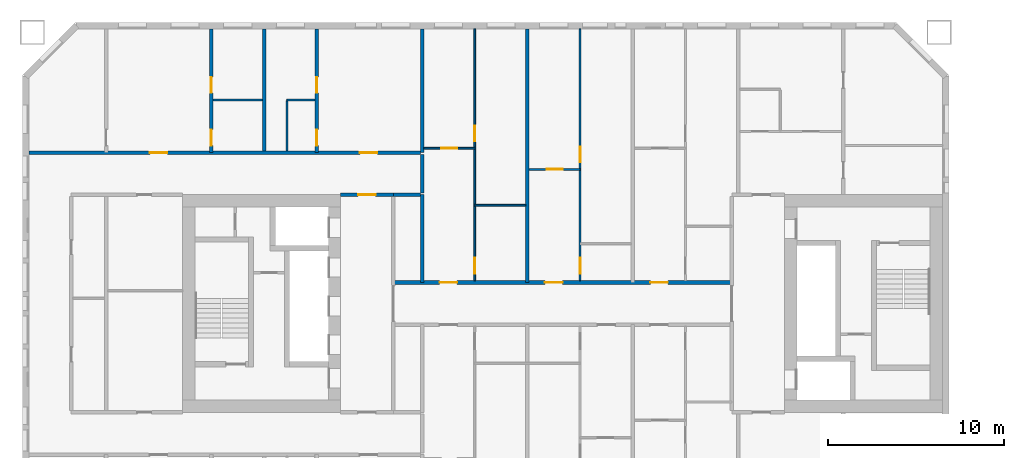
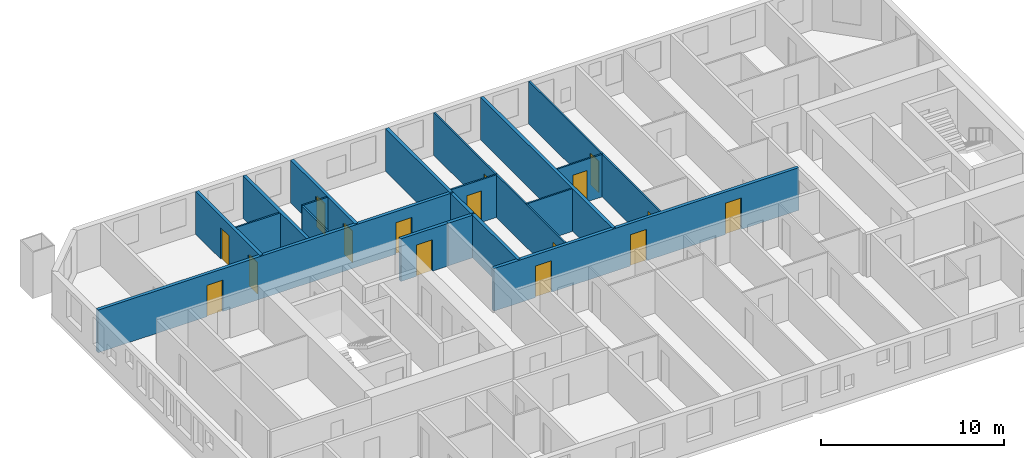
# One storey, part 5 of 17: 19 walls, 16 doors, 16 openings.
"""IFC4 building model written with IfcOpenShell, lengths in metres."""

from ifc_helpers import new_model, si_unit, direction, frame, frame_2d, origin, place, context, subcontext, project, spatial, rectangle, extrude, material, layer, layer_set, type_object, element, fill, save


model = new_model("IFC4")

# Units and contexts
model_context = context("Model", 3, precision=1e-05, world=origin(), true_north=direction((0.0, 1.0)))
body_context = subcontext(model_context, "Body", "Model", "MODEL_VIEW")
ifc_project = project(units=[si_unit("LENGTHUNIT", "METRE"), si_unit("AREAUNIT", "SQUARE_METRE"), si_unit("VOLUMEUNIT", "CUBIC_METRE"), si_unit("PLANEANGLEUNIT", "RADIAN"), si_unit("MASSUNIT", "GRAM", prefix="KILO")], contexts=[model_context])

# Site, building, storey
site_placement = place(None, origin())
site = spatial("IfcSite", under=ifc_project, at=site_placement, CompositionType="ELEMENT")
building_placement = place(site_placement, origin())
building = spatial("IfcBuilding", under=site, at=building_placement, Name="Tuart Gate Housing", CompositionType="ELEMENT")
storey_placement = place(building_placement, frame((0.0, 0.0, 80.89990234375)))
storey = spatial("IfcBuildingStorey", under=building, at=storey_placement, Name="L22", CompositionType="ELEMENT", Elevation=80.89990234375)

# Wall, openings, doors
ifc_material_1 = material(Name="Concrete masonry 15 MPa", Category="masonry")
ifc_layer_1 = layer(ifc_material_1, 0.199951171875)
ifc_layer_set_1 = layer_set([ifc_layer_1], Name="Corridor wall masonry 200")
wall_type_1 = type_object("IfcWallType", Name="Corridor wall masonry 200", PredefinedType="PARTITIONING", material=ifc_layer_set_1)
wall_1_placement = place(storey_placement, frame((44.360107421875, 71.199951171875, 0.0), z_axis=(0.0, 0.0, 1.0), x_axis=(1.0, 0.0, 0.0)))
wall_1 = element("IfcWall", 1, at=wall_1_placement, inside=storey, type_object=wall_type_1, Name="Corridor wall masonry 200", PredefinedType="PARTITIONING", context=body_context, shape_type="SweptSolid", body=[
    extrude(rectangle(XDim=19.27978515625, YDim=0.199951171875, at=frame_2d((9.639892578125, 0.0))), origin(), (0.0, 0.0, 1.0), 2.85009765625),
])
opening_1_placement = place(wall_1_placement, frame((14.639892578125, 0.0, 0.0)))
opening_1 = element("IfcOpeningElement", 2, at=opening_1_placement, cuts=wall_1, Name="Opening D976", PredefinedType="OPENING", context=body_context, shape_type="SweptSolid", body=[
    extrude(rectangle(XDim=1.0, YDim=2.10009765625, at=frame_2d((0.5, 1.050048828125))), frame((0.0, 0.10986328125, 0.0), z_axis=(0.0, -1.0, 0.0), x_axis=(1.0, 0.0, 0.0)), (0.0, 0.0, 1.0), 0.219970703125),
])
opening_2_placement = place(wall_1_placement, frame((8.639892578125, 0.0, 0.0)))
opening_2 = element("IfcOpeningElement", 3, at=opening_2_placement, cuts=wall_1, Name="Opening D977", PredefinedType="OPENING", context=body_context, shape_type="SweptSolid", body=[
    extrude(rectangle(XDim=1.0, YDim=2.10009765625, at=frame_2d((0.5, 1.050048828125))), frame((0.0, 0.10986328125, 0.0), z_axis=(0.0, -1.0, 0.0), x_axis=(1.0, 0.0, 0.0)), (0.0, 0.0, 1.0), 0.219970703125),
])
opening_3_placement = place(wall_1_placement, frame((2.639892578125, 0.0, 0.0)))
opening_3 = element("IfcOpeningElement", 4, at=opening_3_placement, cuts=wall_1, Name="Opening D978", PredefinedType="OPENING", context=body_context, shape_type="SweptSolid", body=[
    extrude(rectangle(XDim=1.0, YDim=2.10009765625, at=frame_2d((0.5, 1.050048828125))), frame((0.0, 0.10986328125, 0.0), z_axis=(0.0, -1.0, 0.0), x_axis=(1.0, 0.0, 0.0)), (0.0, 0.0, 1.0), 0.219970703125),
])
ifc_material_2 = material(Name="Timber door leaf in steel frame", Category="steel")
door_type_1 = type_object("IfcDoorType", Name="Flat entrance door 1000", OperationType="SINGLE_SWING_LEFT", PredefinedType="DOOR", material=ifc_material_2)
door_1_placement = place(opening_1_placement, origin())
door_1 = element("IfcDoor", 5, at=door_1_placement, inside=storey, type_object=door_type_1, Name="Flat entrance door", OperationType="SINGLE_SWING_LEFT", OverallHeight=2.10009765625, OverallWidth=1.0, PredefinedType="DOOR", context=body_context, shape_type="SweptSolid", body=[
    extrude(rectangle(XDim=1.0, YDim=2.10009765625, at=frame_2d((0.5, 1.050048828125))), frame((0.0, 0.02490234375, 0.0), z_axis=(0.0, -1.0, 0.0), x_axis=(1.0, 0.0, 0.0)), (0.0, 0.0, 1.0), 0.050048828125),
])
fill(opening_1, door_1)
door_2_placement = place(opening_2_placement, origin())
door_2 = element("IfcDoor", 6, at=door_2_placement, inside=storey, type_object=door_type_1, Name="Flat entrance door", OperationType="SINGLE_SWING_LEFT", OverallHeight=2.10009765625, OverallWidth=1.0, PredefinedType="DOOR", context=body_context, shape_type="SweptSolid", body=[
    extrude(rectangle(XDim=1.0, YDim=2.10009765625, at=frame_2d((0.5, 1.050048828125))), frame((0.0, 0.02490234375, 0.0), z_axis=(0.0, -1.0, 0.0), x_axis=(1.0, 0.0, 0.0)), (0.0, 0.0, 1.0), 0.050048828125),
])
fill(opening_2, door_2)
door_3_placement = place(opening_3_placement, origin())
door_3 = element("IfcDoor", 7, at=door_3_placement, inside=storey, type_object=door_type_1, Name="Flat entrance door", OperationType="SINGLE_SWING_LEFT", OverallHeight=2.10009765625, OverallWidth=1.0, PredefinedType="DOOR", context=body_context, shape_type="SweptSolid", body=[
    extrude(rectangle(XDim=1.0, YDim=2.10009765625, at=frame_2d((0.5, 1.050048828125))), frame((0.0, 0.02490234375, 0.0), z_axis=(0.0, -1.0, 0.0), x_axis=(1.0, 0.0, 0.0)), (0.0, 0.0, 1.0), 0.050048828125),
])
fill(opening_3, door_3)

# Wall
wall_2_placement = place(storey_placement, frame((44.360107421875, 76.199951171875, 0.0), z_axis=(0.0, 0.0, 1.0), x_axis=(1.0, 0.0, 0.0)))
element("IfcWall", 8, at=wall_2_placement, inside=storey, type_object=wall_type_1, Name="Corridor wall masonry 200", PredefinedType="PARTITIONING", context=body_context, shape_type="SweptSolid", body=[
    extrude(rectangle(XDim=1.539794921875, YDim=0.199951171875, at=frame_2d((0.77001953125, 0.0))), origin(), (0.0, 0.0, 1.0), 2.85009765625),
])

# Wall, openings, doors
wall_3_placement = place(storey_placement, frame((23.610107421875, 78.60009765625, 0.0), z_axis=(0.0, 0.0, 1.0), x_axis=(1.0, 0.0, 0.0)))
wall_3 = element("IfcWall", 9, at=wall_3_placement, inside=storey, type_object=wall_type_1, Name="Corridor wall masonry 200", PredefinedType="PARTITIONING", context=body_context, shape_type="SweptSolid", body=[
    extrude(rectangle(XDim=22.289794921875, YDim=0.199951171875, at=frame_2d((11.14501953125, 0.0))), origin(), (0.0, 0.0, 1.0), 2.85009765625),
])
opening_4_placement = place(wall_3_placement, frame((18.840087890625, 0.0, 0.0)))
opening_4 = element("IfcOpeningElement", 10, at=opening_4_placement, cuts=wall_3, Name="Opening D961", PredefinedType="OPENING", context=body_context, shape_type="SweptSolid", body=[
    extrude(rectangle(XDim=1.0, YDim=2.10009765625, at=frame_2d((0.5, 1.050048828125))), frame((0.0, 0.10986328125, 0.0), z_axis=(0.0, -1.0, 0.0), x_axis=(1.0, 0.0, 0.0)), (0.0, 0.0, 1.0), 0.219970703125),
])
opening_5_placement = place(wall_3_placement, frame((6.889892578125, 0.0, 0.0)))
opening_5 = element("IfcOpeningElement", 11, at=opening_5_placement, cuts=wall_3, Name="Opening D962", PredefinedType="OPENING", context=body_context, shape_type="SweptSolid", body=[
    extrude(rectangle(XDim=1.0, YDim=2.10009765625, at=frame_2d((0.5, 1.050048828125))), frame((0.0, 0.10986328125, 0.0), z_axis=(0.0, -1.0, 0.0), x_axis=(1.0, 0.0, 0.0)), (0.0, 0.0, 1.0), 0.219970703125),
])
door_4_placement = place(opening_4_placement, origin())
door_4 = element("IfcDoor", 12, at=door_4_placement, inside=storey, type_object=door_type_1, Name="Flat entrance door", OperationType="SINGLE_SWING_LEFT", OverallHeight=2.10009765625, OverallWidth=1.0, PredefinedType="DOOR", context=body_context, shape_type="SweptSolid", body=[
    extrude(rectangle(XDim=1.0, YDim=2.10009765625, at=frame_2d((0.5, 1.050048828125))), frame((0.0, 0.02490234375, 0.0), z_axis=(0.0, -1.0, 0.0), x_axis=(1.0, 0.0, 0.0)), (0.0, 0.0, 1.0), 0.050048828125),
])
fill(opening_4, door_4)
door_5_placement = place(opening_5_placement, origin())
door_5 = element("IfcDoor", 13, at=door_5_placement, inside=storey, type_object=door_type_1, Name="Flat entrance door", OperationType="SINGLE_SWING_LEFT", OverallHeight=2.10009765625, OverallWidth=1.0, PredefinedType="DOOR", context=body_context, shape_type="SweptSolid", body=[
    extrude(rectangle(XDim=1.0, YDim=2.10009765625, at=frame_2d((0.5, 1.050048828125))), frame((0.0, 0.02490234375, 0.0), z_axis=(0.0, -1.0, 0.0), x_axis=(1.0, 0.0, 0.0)), (0.0, 0.0, 1.0), 0.050048828125),
])
fill(opening_5, door_5)

# Wall
wall_4_placement = place(storey_placement, frame((46.0, 76.300048828125, 0.0), z_axis=(0.0, 0.0, 1.0), x_axis=(0.0, 1.0, 0.0)))
element("IfcWall", 14, at=wall_4_placement, inside=storey, type_object=wall_type_1, Name="Corridor wall masonry 200", PredefinedType="PARTITIONING", context=body_context, shape_type="SweptSolid", body=[
    extrude(rectangle(XDim=2.199951171875, YDim=0.199951171875, at=frame_2d((1.10009765625, 0.0))), origin(), (0.0, 0.0, 1.0), 2.85009765625),
])

# Wall, opening, door
ifc_material_3 = material(Name="Concrete masonry 15 MPa", Category="masonry")
ifc_layer_2 = layer(ifc_material_3, 0.199951171875)
ifc_layer_set_2 = layer_set([ifc_layer_2], Name="Enclosure wall masonry 200")
wall_type_2 = type_object("IfcWallType", Name="Enclosure wall masonry 200", PredefinedType="PARTITIONING", material=ifc_layer_set_2)
wall_5_placement = place(storey_placement, frame((41.360107421875, 76.199951171875, 0.0), z_axis=(0.0, 0.0, 1.0), x_axis=(1.0, 0.0, 0.0)))
wall_5 = element("IfcWall", 15, at=wall_5_placement, inside=storey, type_object=wall_type_2, Name="Enclosure wall masonry 200", PredefinedType="PARTITIONING", context=body_context, shape_type="SweptSolid", body=[
    extrude(rectangle(XDim=3.0, YDim=0.199951171875, at=frame_2d((1.5, 0.0))), origin(), (0.0, 0.0, 1.0), 2.85009765625),
])
opening_6_placement = place(wall_5_placement, frame((1.0, 0.0, 0.0)))
opening_6 = element("IfcOpeningElement", 16, at=opening_6_placement, cuts=wall_5, Name="Opening D971", PredefinedType="OPENING", context=body_context, shape_type="SweptSolid", body=[
    extrude(rectangle(XDim=1.0, YDim=2.10009765625, at=frame_2d((0.5, 1.050048828125))), frame((0.0, 0.10986328125, 0.0), z_axis=(0.0, -1.0, 0.0), x_axis=(1.0, 0.0, 0.0)), (0.0, 0.0, 1.0), 0.219970703125),
])
ifc_material_4 = material(Name="Timber door leaf in steel frame", Category="steel")
door_type_2 = type_object("IfcDoorType", Name="Fire door 1000 RH", OperationType="SINGLE_SWING_RIGHT", PredefinedType="DOOR", material=ifc_material_4)
door_6_placement = place(opening_6_placement, origin())
door_6 = element("IfcDoor", 17, at=door_6_placement, inside=storey, type_object=door_type_2, Name="Fire door", OperationType="SINGLE_SWING_RIGHT", OverallHeight=2.10009765625, OverallWidth=1.0, PredefinedType="DOOR", context=body_context, shape_type="SweptSolid", body=[
    extrude(rectangle(XDim=1.0, YDim=2.10009765625, at=frame_2d((0.5, 1.050048828125))), frame((0.0, 0.02490234375, 0.0), z_axis=(0.0, -1.0, 0.0), x_axis=(1.0, 0.0, 0.0)), (0.0, 0.0, 1.0), 0.050048828125),
])
fill(opening_6, door_6)

# Wall
ifc_material_5 = material(Name="Gypsum board on steel studs", Category="steel")
ifc_layer_3 = layer(ifc_material_5, 0.10009765625)
ifc_layer_set_3 = layer_set([ifc_layer_3], Name="Partition 100")
wall_type_3 = type_object("IfcWallType", Name="Partition 100", PredefinedType="PARTITIONING", material=ifc_layer_set_3)
wall_6_placement = place(storey_placement, frame((49.0, 75.60009765625, 0.0), z_axis=(0.0, 0.0, 1.0), x_axis=(1.0, 0.0, 0.0)))
element("IfcWall", 18, at=wall_6_placement, inside=storey, type_object=wall_type_3, Name="Partition 100", PredefinedType="PARTITIONING", context=body_context, shape_type="SweptSolid", body=[
    extrude(rectangle(XDim=2.89990234375, YDim=0.10009765625, at=frame_2d((1.449951171875, 0.0))), origin(), (0.0, 0.0, 1.0), 2.85009765625),
])

# Wall, opening, door
wall_7_placement = place(storey_placement, frame((52.10009765625, 77.639892578125, 0.0), z_axis=(0.0, 0.0, 1.0), x_axis=(1.0, 0.0, 0.0)))
wall_7 = element("IfcWall", 19, at=wall_7_placement, inside=storey, type_object=wall_type_3, Name="Partition 100", PredefinedType="PARTITIONING", context=body_context, shape_type="SweptSolid", body=[
    extrude(rectangle(XDim=2.89990234375, YDim=0.10009765625, at=frame_2d((1.449951171875, 0.0))), origin(), (0.0, 0.0, 1.0), 2.85009765625),
])
opening_7_placement = place(wall_7_placement, frame((1.0, 0.0, 0.0)))
opening_7 = element("IfcOpeningElement", 20, at=opening_7_placement, cuts=wall_7, Name="Opening D969", PredefinedType="OPENING", context=body_context, shape_type="SweptSolid", body=[
    extrude(rectangle(XDim=0.89990234375, YDim=2.10009765625, at=frame_2d((0.449951171875, 1.050048828125))), frame((0.0, 0.06005859375, 0.0), z_axis=(0.0, -1.0, 0.0), x_axis=(1.0, 0.0, 0.0)), (0.0, 0.0, 1.0), 0.1201171875),
])
ifc_material_6 = material(Name="Timber door leaf in steel frame", Category="steel")
door_type_3 = type_object("IfcDoorType", Name="Internal door 900", OperationType="SINGLE_SWING_LEFT", PredefinedType="DOOR", material=ifc_material_6)
door_7_placement = place(opening_7_placement, frame((0.89990234375, 0.0, 0.0), z_axis=(0.0, 0.0, 1.0), x_axis=(-1.0, 0.0, 0.0)))
door_7 = element("IfcDoor", 21, at=door_7_placement, inside=storey, type_object=door_type_3, Name="Internal door", OperationType="SINGLE_SWING_LEFT", OverallHeight=2.10009765625, OverallWidth=0.89990234375, PredefinedType="DOOR", context=body_context, shape_type="SweptSolid", body=[
    extrude(rectangle(XDim=0.89990234375, YDim=2.10009765625, at=frame_2d((0.449951171875, 1.050048828125))), frame((0.0, 0.025146484375, 0.0), z_axis=(0.0, -1.0, 0.0), x_axis=(1.0, 0.0, 0.0)), (0.0, 0.0, 1.0), 0.050048828125),
])
fill(opening_7, door_7)

wall_8_placement = place(storey_placement, frame((46.10009765625, 78.840087890625, 0.0), z_axis=(0.0, 0.0, 1.0), x_axis=(1.0, 0.0, 0.0)))
wall_8 = element("IfcWall", 22, at=wall_8_placement, inside=storey, type_object=wall_type_3, Name="Partition 100", PredefinedType="PARTITIONING", context=body_context, shape_type="SweptSolid", body=[
    extrude(rectangle(XDim=2.89990234375, YDim=0.10009765625, at=frame_2d((1.449951171875, 0.0))), origin(), (0.0, 0.0, 1.0), 2.85009765625),
])
opening_8_placement = place(wall_8_placement, frame((1.0, 0.0, 0.0)))
opening_8 = element("IfcOpeningElement", 23, at=opening_8_placement, cuts=wall_8, Name="Opening D959", PredefinedType="OPENING", context=body_context, shape_type="SweptSolid", body=[
    extrude(rectangle(XDim=0.89990234375, YDim=2.10009765625, at=frame_2d((0.449951171875, 1.050048828125))), frame((0.0, 0.06005859375, 0.0), z_axis=(0.0, -1.0, 0.0), x_axis=(1.0, 0.0, 0.0)), (0.0, 0.0, 1.0), 0.1201171875),
])
door_8_placement = place(opening_8_placement, frame((0.89990234375, 0.0, 0.0), z_axis=(0.0, 0.0, 1.0), x_axis=(-1.0, 0.0, 0.0)))
door_8 = element("IfcDoor", 24, at=door_8_placement, inside=storey, type_object=door_type_3, Name="Internal door", OperationType="SINGLE_SWING_LEFT", OverallHeight=2.10009765625, OverallWidth=0.89990234375, PredefinedType="DOOR", context=body_context, shape_type="SweptSolid", body=[
    extrude(rectangle(XDim=0.89990234375, YDim=2.10009765625, at=frame_2d((0.449951171875, 1.050048828125))), frame((0.0, 0.025146484375, 0.0), z_axis=(0.0, -1.0, 0.0), x_axis=(1.0, 0.0, 0.0)), (0.0, 0.0, 1.0), 0.050048828125),
])
fill(opening_8, door_8)

# Walls
wall_9_placement = place(storey_placement, frame((34.10009765625, 81.60009765625, 0.0), z_axis=(0.0, 0.0, 1.0), x_axis=(1.0, 0.0, 0.0)))
element("IfcWall", 25, at=wall_9_placement, inside=storey, type_object=wall_type_3, Name="Partition 100", PredefinedType="PARTITIONING", context=body_context, shape_type="SweptSolid", body=[
    extrude(rectangle(XDim=2.7998046875, YDim=0.10009765625, at=frame_2d((1.39990234375, 0.0))), origin(), (0.0, 0.0, 1.0), 2.85009765625),
])
wall_10_placement = place(storey_placement, frame((38.300048828125, 81.60009765625, 0.0), z_axis=(0.0, 0.0, 1.0), x_axis=(1.0, 0.0, 0.0)))
element("IfcWall", 26, at=wall_10_placement, inside=storey, type_object=wall_type_3, Name="Partition 100", PredefinedType="PARTITIONING", context=body_context, shape_type="SweptSolid", body=[
    extrude(rectangle(XDim=1.599853515625, YDim=0.10009765625, at=frame_2d((0.7998046875, 0.0))), origin(), (0.0, 0.0, 1.0), 2.85009765625),
])
wall_11_placement = place(storey_placement, frame((38.300048828125, 78.699951171875, 0.0), z_axis=(0.0, 0.0, 1.0), x_axis=(0.0, 1.0, 0.0)))
element("IfcWall", 27, at=wall_11_placement, inside=storey, type_object=wall_type_3, Name="Partition 100", PredefinedType="PARTITIONING", context=body_context, shape_type="SweptSolid", body=[
    extrude(rectangle(XDim=2.85009765625, YDim=0.10009765625, at=frame_2d((1.425048828125, 0.0))), origin(), (0.0, 0.0, 1.0), 2.85009765625),
])

# Wall, openings, doors
wall_12_placement = place(storey_placement, frame((49.0, 71.300048828125, 0.0), z_axis=(0.0, 0.0, 1.0), x_axis=(0.0, 1.0, 0.0)))
wall_12 = element("IfcWall", 28, at=wall_12_placement, inside=storey, type_object=wall_type_3, Name="Partition 100", PredefinedType="PARTITIONING", context=body_context, shape_type="SweptSolid", body=[
    extrude(rectangle(XDim=14.33984375, YDim=0.10009765625, at=frame_2d((7.169921875, 0.0))), origin(), (0.0, 0.0, 1.0), 2.85009765625),
])
opening_9_placement = place(wall_12_placement, frame((7.93994140625, 0.0, 0.0)))
opening_9 = element("IfcOpeningElement", 29, at=opening_9_placement, cuts=wall_12, Name="Opening D964", PredefinedType="OPENING", context=body_context, shape_type="SweptSolid", body=[
    extrude(rectangle(XDim=0.89990234375, YDim=2.10009765625, at=frame_2d((0.449951171875, 1.050048828125))), frame((0.0, 0.06005859375, 0.0), z_axis=(0.0, -1.0, 0.0), x_axis=(1.0, 0.0, 0.0)), (0.0, 0.0, 1.0), 0.1201171875),
])
opening_10_placement = place(wall_12_placement, frame((0.39990234375, 0.0, 0.0)))
opening_10 = element("IfcOpeningElement", 30, at=opening_10_placement, cuts=wall_12, Name="Opening D963", PredefinedType="OPENING", context=body_context, shape_type="SweptSolid", body=[
    extrude(rectangle(XDim=0.89990234375, YDim=2.10009765625, at=frame_2d((0.449951171875, 1.050048828125))), frame((0.0, 0.06005859375, 0.0), z_axis=(0.0, -1.0, 0.0), x_axis=(1.0, 0.0, 0.0)), (0.0, 0.0, 1.0), 0.1201171875),
])
ifc_material_7 = material(Name="Timber door leaf in steel frame", Category="steel")
door_type_4 = type_object("IfcDoorType", Name="Bathroom door 900 RH", OperationType="SINGLE_SWING_RIGHT", PredefinedType="DOOR", material=ifc_material_7)
door_9_placement = place(opening_10_placement, frame((0.89990234375, 0.0, 0.0), z_axis=(0.0, 0.0, 1.0), x_axis=(-1.0, 0.0, 0.0)))
door_9 = element("IfcDoor", 31, at=door_9_placement, inside=storey, type_object=door_type_4, Name="Bathroom door", OperationType="SINGLE_SWING_RIGHT", OverallHeight=2.10009765625, OverallWidth=0.89990234375, PredefinedType="DOOR", context=body_context, shape_type="SweptSolid", body=[
    extrude(rectangle(XDim=0.89990234375, YDim=2.10009765625, at=frame_2d((0.449951171875, 1.050048828125))), frame((0.0, 0.025146484375, 0.0), z_axis=(0.0, -1.0, 0.0), x_axis=(1.0, 0.0, 0.0)), (0.0, 0.0, 1.0), 0.050048828125),
])
fill(opening_10, door_9)
ifc_material_8 = material(Name="Timber door leaf in steel frame", Category="steel")
door_type_5 = type_object("IfcDoorType", Name="Internal door 900 RH", OperationType="SINGLE_SWING_RIGHT", PredefinedType="DOOR", material=ifc_material_8)
door_10_placement = place(opening_9_placement, frame((0.89990234375, 0.0, 0.0), z_axis=(0.0, 0.0, 1.0), x_axis=(-1.0, 0.0, 0.0)))
door_10 = element("IfcDoor", 32, at=door_10_placement, inside=storey, type_object=door_type_5, Name="Internal door", OperationType="SINGLE_SWING_RIGHT", OverallHeight=2.10009765625, OverallWidth=0.89990234375, PredefinedType="DOOR", context=body_context, shape_type="SweptSolid", body=[
    extrude(rectangle(XDim=0.89990234375, YDim=2.10009765625, at=frame_2d((0.449951171875, 1.050048828125))), frame((0.0, 0.025146484375, 0.0), z_axis=(0.0, -1.0, 0.0), x_axis=(1.0, 0.0, 0.0)), (0.0, 0.0, 1.0), 0.050048828125),
])
fill(opening_9, door_10)

wall_13_placement = place(storey_placement, frame((55.0, 71.300048828125, 0.0), z_axis=(0.0, 0.0, 1.0), x_axis=(0.0, 1.0, 0.0)))
wall_13 = element("IfcWall", 33, at=wall_13_placement, inside=storey, type_object=wall_type_3, Name="Partition 100", PredefinedType="PARTITIONING", context=body_context, shape_type="SweptSolid", body=[
    extrude(rectangle(XDim=14.33984375, YDim=0.10009765625, at=frame_2d((7.169921875, 0.0))), origin(), (0.0, 0.0, 1.0), 2.85009765625),
])
opening_11_placement = place(wall_13_placement, frame((6.739990234375, 0.0, 0.0)))
opening_11 = element("IfcOpeningElement", 34, at=opening_11_placement, cuts=wall_13, Name="Opening D966", PredefinedType="OPENING", context=body_context, shape_type="SweptSolid", body=[
    extrude(rectangle(XDim=0.89990234375, YDim=2.10009765625, at=frame_2d((0.449951171875, 1.050048828125))), frame((0.0, 0.06005859375, 0.0), z_axis=(0.0, -1.0, 0.0), x_axis=(1.0, 0.0, 0.0)), (0.0, 0.0, 1.0), 0.1201171875),
])
opening_12_placement = place(wall_13_placement, frame((0.39990234375, 0.0, 0.0)))
opening_12 = element("IfcOpeningElement", 35, at=opening_12_placement, cuts=wall_13, Name="Opening D965", PredefinedType="OPENING", context=body_context, shape_type="SweptSolid", body=[
    extrude(rectangle(XDim=0.89990234375, YDim=2.10009765625, at=frame_2d((0.449951171875, 1.050048828125))), frame((0.0, 0.06005859375, 0.0), z_axis=(0.0, -1.0, 0.0), x_axis=(1.0, 0.0, 0.0)), (0.0, 0.0, 1.0), 0.1201171875),
])
door_11_placement = place(opening_12_placement, frame((0.89990234375, 0.0, 0.0), z_axis=(0.0, 0.0, 1.0), x_axis=(-1.0, 0.0, 0.0)))
door_11 = element("IfcDoor", 36, at=door_11_placement, inside=storey, type_object=door_type_4, Name="Bathroom door", OperationType="SINGLE_SWING_RIGHT", OverallHeight=2.10009765625, OverallWidth=0.89990234375, PredefinedType="DOOR", context=body_context, shape_type="SweptSolid", body=[
    extrude(rectangle(XDim=0.89990234375, YDim=2.10009765625, at=frame_2d((0.449951171875, 1.050048828125))), frame((0.0, 0.025146484375, 0.0), z_axis=(0.0, -1.0, 0.0), x_axis=(1.0, 0.0, 0.0)), (0.0, 0.0, 1.0), 0.050048828125),
])
fill(opening_12, door_11)
door_12_placement = place(opening_11_placement, frame((0.89990234375, 0.0, 0.0), z_axis=(0.0, 0.0, 1.0), x_axis=(-1.0, 0.0, 0.0)))
door_12 = element("IfcDoor", 37, at=door_12_placement, inside=storey, type_object=door_type_5, Name="Internal door", OperationType="SINGLE_SWING_RIGHT", OverallHeight=2.10009765625, OverallWidth=0.89990234375, PredefinedType="DOOR", context=body_context, shape_type="SweptSolid", body=[
    extrude(rectangle(XDim=0.89990234375, YDim=2.10009765625, at=frame_2d((0.449951171875, 1.050048828125))), frame((0.0, 0.025146484375, 0.0), z_axis=(0.0, -1.0, 0.0), x_axis=(1.0, 0.0, 0.0)), (0.0, 0.0, 1.0), 0.050048828125),
])
fill(opening_11, door_12)

ifc_material_9 = material(Name="Concrete C40", Category="concrete")
ifc_layer_4 = layer(ifc_material_9, 0.199951171875)
ifc_layer_set_4 = layer_set([ifc_layer_4], Name="Party wall concrete C40 200")
wall_type_4 = type_object("IfcWallType", Name="Party wall concrete C40 200", PredefinedType="SOLIDWALL", material=ifc_layer_set_4)
wall_14_placement = place(storey_placement, frame((34.0, 78.60009765625, 0.0), z_axis=(0.0, 0.0, 1.0), x_axis=(0.0, 1.0, 0.0)))
wall_14 = element("IfcWall", 38, at=wall_14_placement, inside=storey, type_object=wall_type_4, Name="Party wall concrete C40 200", PredefinedType="SOLIDWALL", context=body_context, shape_type="SweptSolid", body=[
    extrude(rectangle(XDim=7.039794921875, YDim=0.199951171875, at=frame_2d((3.52001953125, 0.0))), origin(), (0.0, 0.0, 1.0), 2.85009765625),
])
opening_13_placement = place(wall_14_placement, frame((3.39990234375, 0.0, 0.0)))
opening_13 = element("IfcOpeningElement", 39, at=opening_13_placement, cuts=wall_14, Name="Opening D952", PredefinedType="OPENING", context=body_context, shape_type="SweptSolid", body=[
    extrude(rectangle(XDim=0.89990234375, YDim=2.10009765625, at=frame_2d((0.449951171875, 1.050048828125))), frame((0.0, 0.10986328125, 0.0), z_axis=(0.0, -1.0, 0.0), x_axis=(1.0, 0.0, 0.0)), (0.0, 0.0, 1.0), 0.219970703125),
])
opening_14_placement = place(wall_14_placement, frame((0.39990234375, 0.0, 0.0)))
opening_14 = element("IfcOpeningElement", 40, at=opening_14_placement, cuts=wall_14, Name="Opening D951", PredefinedType="OPENING", context=body_context, shape_type="SweptSolid", body=[
    extrude(rectangle(XDim=0.89990234375, YDim=2.10009765625, at=frame_2d((0.449951171875, 1.050048828125))), frame((0.0, 0.10986328125, 0.0), z_axis=(0.0, -1.0, 0.0), x_axis=(1.0, 0.0, 0.0)), (0.0, 0.0, 1.0), 0.219970703125),
])
door_13_placement = place(opening_14_placement, frame((0.89990234375, 0.0, 0.0), z_axis=(0.0, 0.0, 1.0), x_axis=(-1.0, 0.0, 0.0)))
door_13 = element("IfcDoor", 41, at=door_13_placement, inside=storey, type_object=door_type_4, Name="Bathroom door", OperationType="SINGLE_SWING_RIGHT", OverallHeight=2.10009765625, OverallWidth=0.89990234375, PredefinedType="DOOR", context=body_context, shape_type="SweptSolid", body=[
    extrude(rectangle(XDim=0.89990234375, YDim=2.10009765625, at=frame_2d((0.449951171875, 1.050048828125))), frame((0.0, 0.025146484375, 0.0), z_axis=(0.0, -1.0, 0.0), x_axis=(1.0, 0.0, 0.0)), (0.0, 0.0, 1.0), 0.050048828125),
])
fill(opening_14, door_13)
door_14_placement = place(opening_13_placement, frame((0.89990234375, 0.0, 0.0), z_axis=(0.0, 0.0, 1.0), x_axis=(-1.0, 0.0, 0.0)))
door_14 = element("IfcDoor", 42, at=door_14_placement, inside=storey, type_object=door_type_5, Name="Internal door", OperationType="SINGLE_SWING_RIGHT", OverallHeight=2.10009765625, OverallWidth=0.89990234375, PredefinedType="DOOR", context=body_context, shape_type="SweptSolid", body=[
    extrude(rectangle(XDim=0.89990234375, YDim=2.10009765625, at=frame_2d((0.449951171875, 1.050048828125))), frame((0.0, 0.025146484375, 0.0), z_axis=(0.0, -1.0, 0.0), x_axis=(1.0, 0.0, 0.0)), (0.0, 0.0, 1.0), 0.050048828125),
])
fill(opening_13, door_14)

wall_15_placement = place(storey_placement, frame((40.0, 78.60009765625, 0.0), z_axis=(0.0, 0.0, 1.0), x_axis=(0.0, 1.0, 0.0)))
wall_15 = element("IfcWall", 43, at=wall_15_placement, inside=storey, type_object=wall_type_4, Name="Party wall concrete C40 200", PredefinedType="SOLIDWALL", context=body_context, shape_type="SweptSolid", body=[
    extrude(rectangle(XDim=7.039794921875, YDim=0.199951171875, at=frame_2d((3.52001953125, 0.0))), origin(), (0.0, 0.0, 1.0), 2.85009765625),
])
opening_15_placement = place(wall_15_placement, frame((3.39990234375, 0.0, 0.0)))
opening_15 = element("IfcOpeningElement", 44, at=opening_15_placement, cuts=wall_15, Name="Opening D954", PredefinedType="OPENING", context=body_context, shape_type="SweptSolid", body=[
    extrude(rectangle(XDim=0.89990234375, YDim=2.10009765625, at=frame_2d((0.449951171875, 1.050048828125))), frame((0.0, 0.10986328125, 0.0), z_axis=(0.0, -1.0, 0.0), x_axis=(1.0, 0.0, 0.0)), (0.0, 0.0, 1.0), 0.219970703125),
])
opening_16_placement = place(wall_15_placement, frame((0.39990234375, 0.0, 0.0)))
opening_16 = element("IfcOpeningElement", 45, at=opening_16_placement, cuts=wall_15, Name="Opening D953", PredefinedType="OPENING", context=body_context, shape_type="SweptSolid", body=[
    extrude(rectangle(XDim=0.89990234375, YDim=2.10009765625, at=frame_2d((0.449951171875, 1.050048828125))), frame((0.0, 0.10986328125, 0.0), z_axis=(0.0, -1.0, 0.0), x_axis=(1.0, 0.0, 0.0)), (0.0, 0.0, 1.0), 0.219970703125),
])
ifc_material_10 = material(Name="Timber door leaf in steel frame", Category="steel")
door_type_6 = type_object("IfcDoorType", Name="Bathroom door 900", OperationType="SINGLE_SWING_LEFT", PredefinedType="DOOR", material=ifc_material_10)
door_15_placement = place(opening_16_placement, origin())
door_15 = element("IfcDoor", 46, at=door_15_placement, inside=storey, type_object=door_type_6, Name="Bathroom door", OperationType="SINGLE_SWING_LEFT", OverallHeight=2.10009765625, OverallWidth=0.89990234375, PredefinedType="DOOR", context=body_context, shape_type="SweptSolid", body=[
    extrude(rectangle(XDim=0.89990234375, YDim=2.10009765625, at=frame_2d((0.449951171875, 1.050048828125))), frame((0.0, 0.02490234375, 0.0), z_axis=(0.0, -1.0, 0.0), x_axis=(1.0, 0.0, 0.0)), (0.0, 0.0, 1.0), 0.050048828125),
])
fill(opening_16, door_15)
door_16_placement = place(opening_15_placement, origin())
door_16 = element("IfcDoor", 47, at=door_16_placement, inside=storey, type_object=door_type_3, Name="Internal door", OperationType="SINGLE_SWING_LEFT", OverallHeight=2.10009765625, OverallWidth=0.89990234375, PredefinedType="DOOR", context=body_context, shape_type="SweptSolid", body=[
    extrude(rectangle(XDim=0.89990234375, YDim=2.10009765625, at=frame_2d((0.449951171875, 1.050048828125))), frame((0.0, 0.02490234375, 0.0), z_axis=(0.0, -1.0, 0.0), x_axis=(1.0, 0.0, 0.0)), (0.0, 0.0, 1.0), 0.050048828125),
])
fill(opening_15, door_16)

# Walls
wall_16_placement = place(storey_placement, frame((46.0, 71.199951171875, 0.0), z_axis=(0.0, 0.0, 1.0), x_axis=(0.0, 1.0, 0.0)))
element("IfcWall", 48, at=wall_16_placement, inside=storey, type_object=wall_type_4, Name="Party wall concrete C40 200", PredefinedType="SOLIDWALL", context=body_context, shape_type="SweptSolid", body=[
    extrude(rectangle(XDim=5.0, YDim=0.199951171875, at=frame_2d((2.5, 0.0))), origin(), (0.0, 0.0, 1.0), 2.85009765625),
])
wall_17_placement = place(storey_placement, frame((46.0, 78.60009765625, 0.0), z_axis=(0.0, 0.0, 1.0), x_axis=(0.0, 1.0, 0.0)))
element("IfcWall", 49, at=wall_17_placement, inside=storey, type_object=wall_type_4, Name="Party wall concrete C40 200", PredefinedType="SOLIDWALL", context=body_context, shape_type="SweptSolid", body=[
    extrude(rectangle(XDim=7.039794921875, YDim=0.199951171875, at=frame_2d((3.52001953125, 0.0))), origin(), (0.0, 0.0, 1.0), 2.85009765625),
])
wall_18_placement = place(storey_placement, frame((52.0, 71.199951171875, 0.0), z_axis=(0.0, 0.0, 1.0), x_axis=(0.0, 1.0, 0.0)))
element("IfcWall", 50, at=wall_18_placement, inside=storey, type_object=wall_type_4, Name="Party wall concrete C40 200", PredefinedType="SOLIDWALL", context=body_context, shape_type="SweptSolid", body=[
    extrude(rectangle(XDim=14.43994140625, YDim=0.199951171875, at=frame_2d((7.219970703125, 0.0))), origin(), (0.0, 0.0, 1.0), 2.85009765625),
])
ifc_material_11 = material(Name="Concrete masonry 15 MPa", Category="masonry")
ifc_layer_5 = layer(ifc_material_11, 0.199951171875)
ifc_layer_set_5 = layer_set([ifc_layer_5], Name="Party wall masonry 200")
wall_type_5 = type_object("IfcWallType", Name="Party wall masonry 200", PredefinedType="PARTITIONING", material=ifc_layer_set_5)
wall_19_placement = place(storey_placement, frame((37.0, 78.699951171875, 0.0), z_axis=(0.0, 0.0, 1.0), x_axis=(0.0, 1.0, 0.0)))
element("IfcWall", 51, at=wall_19_placement, inside=storey, type_object=wall_type_5, Name="Party wall masonry 200", PredefinedType="PARTITIONING", context=body_context, shape_type="SweptSolid", body=[
    extrude(rectangle(XDim=6.93994140625, YDim=0.199951171875, at=frame_2d((3.469970703125, 0.0))), origin(), (0.0, 0.0, 1.0), 2.85009765625),
])

save(model, "model.ifc")
